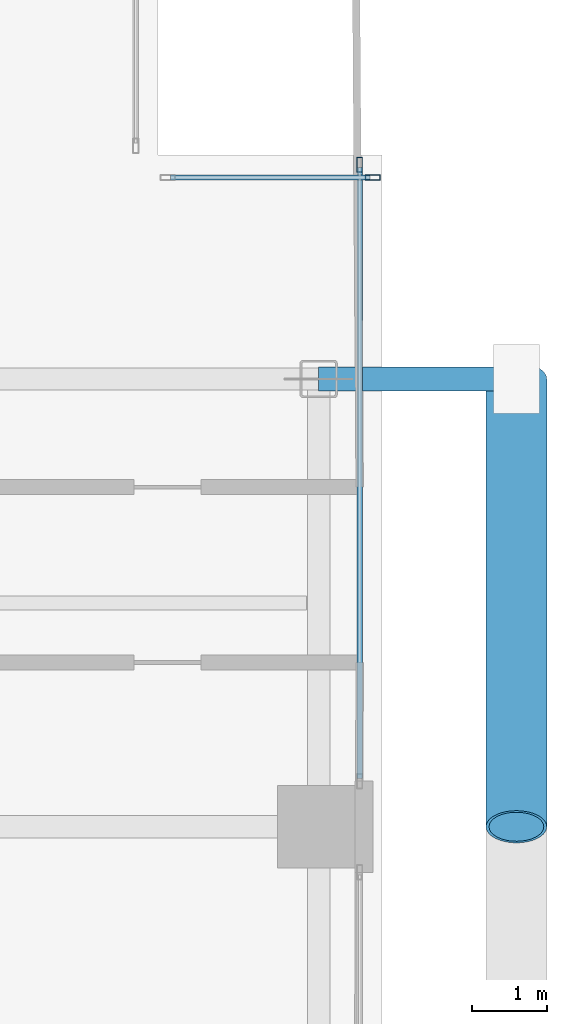
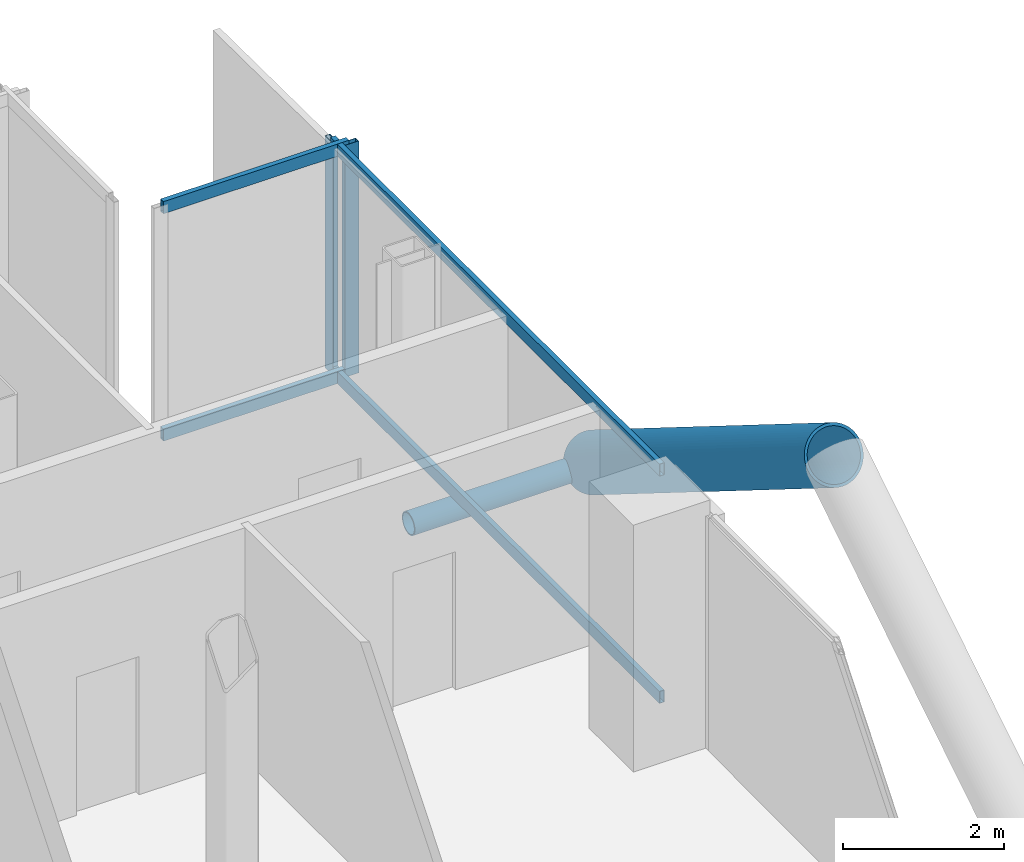
# One storey, part 13 of 24: 8 members, 2 elements without a shape of their own.
"""IFC4 building model written with IfcOpenShell, lengths in metres."""

from ifc_helpers import new_model, si_unit, direction, frame, origin, origin_2d, place, context, subcontext, project, spatial, hollow_rectangle, hollow_circle, extrude, material, layer, layer_set, material_profile, profile_set, type_object, element, aggregate, save


model = new_model("IFC4")

# Units and contexts
model_context = context("Model", 3, precision=1e-05, world=origin(), true_north=direction((0.0, 1.0)))
body_context = subcontext(model_context, "Body", "Model", "MODEL_VIEW")
ifc_project = project(units=[si_unit("LENGTHUNIT", "METRE"), si_unit("AREAUNIT", "SQUARE_METRE"), si_unit("VOLUMEUNIT", "CUBIC_METRE"), si_unit("PLANEANGLEUNIT", "RADIAN"), si_unit("MASSUNIT", "GRAM", prefix="KILO"), si_unit("THERMODYNAMICTEMPERATUREUNIT", "KELVIN"), si_unit("POWERUNIT", "WATT")], contexts=[model_context])

# Site, building, storey
site_placement = place(None, origin())
site = spatial("IfcSite", under=ifc_project, at=site_placement, CompositionType="ELEMENT")
building_placement = place(site_placement, origin())
building = spatial("IfcBuilding", under=site, at=building_placement, Name="Svarakhadi Broadcast Tower", CompositionType="ELEMENT")
storey_placement = place(building_placement, frame((0.0, 0.0, 141.89990234375)))
storey = spatial("IfcBuildingStorey", under=building, at=storey_placement, Name="L34", CompositionType="ELEMENT", Elevation=141.89990234375)

# Curtain wall, member
ifc_material_1 = material(Name="Anodised Bronze Aluminium AA 6063-T6", Category="aluminium")
ifc_layer = layer(ifc_material_1, 0.199951171875)
ifc_layer_set = layer_set([ifc_layer], Name="Anodised Bronze Aluminium AA 6063-T6")
curtain_wall_type = type_object("IfcCurtainWallType", Name="CW_Sys_03", PredefinedType="NOTDEFINED", material=ifc_layer_set)
curtain_wall_1_placement = place(storey_placement, origin())
curtain_wall_1 = element("IfcCurtainWall", 1, at=curtain_wall_1_placement, inside=storey, type_object=curtain_wall_type, Name="L34 Unitised Facade Curtain Wall 12", PredefinedType="NOTDEFINED")
ifc_material_profile_1 = material_profile(ifc_material_1, hollow_rectangle(XDim=0.074951171875, YDim=0.199951171875, WallThickness=0.005615234375, at=origin_2d()), Name="ALU MULLION 200x75x6")
ifc_profile_set_1 = profile_set([ifc_material_profile_1], Name="Anodised Bronze Aluminium AA 6063-T6")
member_type_1 = type_object("IfcMemberType", Name="CW_Sys_03_Mul", PredefinedType="MULLION", material=ifc_profile_set_1)
member_1_placement = place(storey_placement, frame((47.87255859375, 20.699951171875, 0.0), z_axis=(0.0, 0.0, 1.0), x_axis=(0.0, 1.0, 0.0)))
member_1 = element("IfcMember", 2, at=member_1_placement, type_object=member_type_1, Name="CW-03 mullion 2", PredefinedType="MULLION", context=body_context, shape_type="SweptSolid", body=[
    extrude(hollow_rectangle(XDim=0.074951171875, YDim=0.199951171875, WallThickness=0.005615234375, at=origin_2d()), origin(), (0.0, 0.0, 1.0), 3.525146484375),
])

curtain_wall_2_placement = place(storey_placement, origin())
curtain_wall_2 = element("IfcCurtainWall", 3, at=curtain_wall_2_placement, inside=storey, type_object=curtain_wall_type, Name="L34 Unitised Facade Curtain Wall 13 Bay 1", PredefinedType="NOTDEFINED")
member_2_placement = place(storey_placement, frame((47.699951171875, 20.87255859375, 0.0), z_axis=(0.0, 0.0, 1.0), x_axis=(1.0, 0.0, 0.0)))
member_2 = element("IfcMember", 4, at=member_2_placement, type_object=member_type_1, Name="CW-03 mullion 1", PredefinedType="MULLION", context=body_context, shape_type="SweptSolid", body=[
    extrude(hollow_rectangle(XDim=0.074951171875, YDim=0.199951171875, WallThickness=0.005615234375, at=origin_2d()), origin(), (0.0, 0.0, 1.0), 3.525146484375),
])

# Member
ifc_material_profile_2 = material_profile(ifc_material_1, hollow_rectangle(XDim=0.070068359375, YDim=0.18505859375, WallThickness=0.0048828125, at=origin_2d()), Name="ALU TRANSOM 185x70x5")
ifc_profile_set_2 = profile_set([ifc_material_profile_2], Name="Anodised Bronze Aluminium AA 6063-T6")
member_type_2 = type_object("IfcMemberType", Name="CW_Sys_03_Trn", PredefinedType="USERDEFINED", material=ifc_profile_set_2)
member_3_placement = place(storey_placement, frame((45.1650390625, 20.699951171875, 0.03515625), z_axis=(1.0, 0.0, 0.0), x_axis=(0.0, 1.0, 0.0)))
member_3 = element("IfcMember", 5, at=member_3_placement, type_object=member_type_2, Name="CW-03 transom 1.1", ObjectType="TRANSOM", PredefinedType="USERDEFINED", context=body_context, shape_type="SweptSolid", body=[
    extrude(hollow_rectangle(XDim=0.070068359375, YDim=0.18505859375, WallThickness=0.0048828125, at=origin_2d()), origin(), (0.0, 0.0, 1.0), 2.669921875),
])

member_4_placement = place(storey_placement, frame((45.1650390625, 20.699951171875, 3.489990234375), z_axis=(1.0, 0.0, 0.0), x_axis=(0.0, 1.0, 0.0)))
member_4 = element("IfcMember", 6, at=member_4_placement, type_object=member_type_2, Name="CW-03 transom 1.2", ObjectType="TRANSOM", PredefinedType="USERDEFINED", context=body_context, shape_type="SweptSolid", body=[
    extrude(hollow_rectangle(XDim=0.070068359375, YDim=0.18505859375, WallThickness=0.0048828125, at=origin_2d()), origin(), (0.0, 0.0, 1.0), 2.669921875),
])

aggregate(curtain_wall_1, [member_1, member_3, member_4])

member_5_placement = place(storey_placement, frame((47.699951171875, 20.8349609375, 0.03515625), z_axis=(0.0, -1.0, 0.0), x_axis=(1.0, 0.0, 0.0)))
member_5 = element("IfcMember", 7, at=member_5_placement, type_object=member_type_2, Name="CW-03 transom 1.1", ObjectType="TRANSOM", PredefinedType="USERDEFINED", context=body_context, shape_type="SweptSolid", body=[
    extrude(hollow_rectangle(XDim=0.070068359375, YDim=0.18505859375, WallThickness=0.0048828125, at=origin_2d()), origin(), (0.0, 0.0, 1.0), 8.18994140625),
])

member_6_placement = place(storey_placement, frame((47.699951171875, 20.8349609375, 3.489990234375), z_axis=(0.0, -1.0, 0.0), x_axis=(1.0, 0.0, 0.0)))
member_6 = element("IfcMember", 8, at=member_6_placement, type_object=member_type_2, Name="CW-03 transom 1.2", ObjectType="TRANSOM", PredefinedType="USERDEFINED", context=body_context, shape_type="SweptSolid", body=[
    extrude(hollow_rectangle(XDim=0.070068359375, YDim=0.18505859375, WallThickness=0.0048828125, at=origin_2d()), origin(), (0.0, 0.0, 1.0), 8.18994140625),
])

aggregate(curtain_wall_2, [member_2, member_5, member_6])

# Members
ifc_material_2 = material(Name="Steel S460ML (IS 2062 E450BR)", Category="steel")
ifc_material_profile_3 = material_profile(ifc_material_2, hollow_circle(Radius=0.406494140625, WallThickness=0.0400390625, at=origin_2d()), Name="CHS 813x40")
ifc_profile_set_3 = profile_set([ifc_material_profile_3], Name="Steel S460ML (IS 2062 E450BR)")
member_type_3 = type_object("IfcMemberType", Name="Exo_Brace_CHS813", PredefinedType="BRACE", material=ifc_profile_set_3)
member_7_placement = place(storey_placement, frame((49.800048828125, 18.0, -0.386962890625), z_axis=(0.0, -0.847998304005, 0.529998940003), x_axis=(1.0, 0.0, 0.0)))
element("IfcMember", 9, at=member_7_placement, inside=storey, type_object=member_type_3, Name="L34 Exposed Bronze Exoskeleton Diagonal E07", PredefinedType="BRACE", context=body_context, shape_type="SweptSolid", body=[
    extrude(hollow_circle(Radius=0.406494140625, WallThickness=0.0400390625, at=origin_2d()), origin(), (0.0, 0.0, 1.0), 7.075439453125),
])
ifc_material_profile_4 = material_profile(ifc_material_2, hollow_circle(Radius=0.161865234375, WallThickness=0.01611328125, at=origin_2d()), Name="CHS 323.9x16")
ifc_profile_set_4 = profile_set([ifc_material_profile_4], Name="Steel S460ML (IS 2062 E450BR)")
member_type_4 = type_object("IfcMemberType", Name="Exo_Radial_Strut_Z2", PredefinedType="STRUT", material=ifc_profile_set_4)
member_8_placement = place(storey_placement, frame((49.800048828125, 18.0, -0.386962890625), z_axis=(-1.0, 0.0, 0.0), x_axis=(0.0, -1.0, 0.0)))
element("IfcMember", 10, at=member_8_placement, inside=storey, type_object=member_type_4, Name="L34 Exoskeleton Radial Tie Strut E09", PredefinedType="STRUT", context=body_context, shape_type="SweptSolid", body=[
    extrude(hollow_circle(Radius=0.161865234375, WallThickness=0.01611328125, at=origin_2d()), origin(), (0.0, 0.0, 1.0), 2.650146484375),
])

save(model, "model.ifc")
